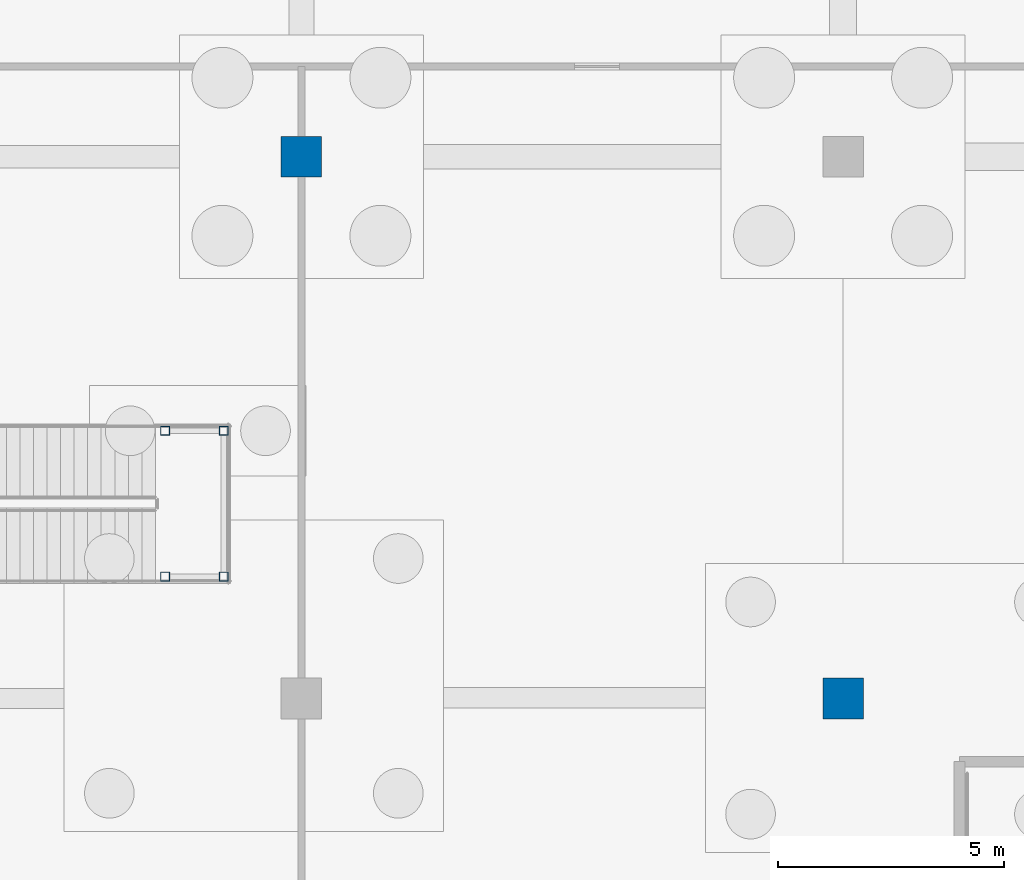
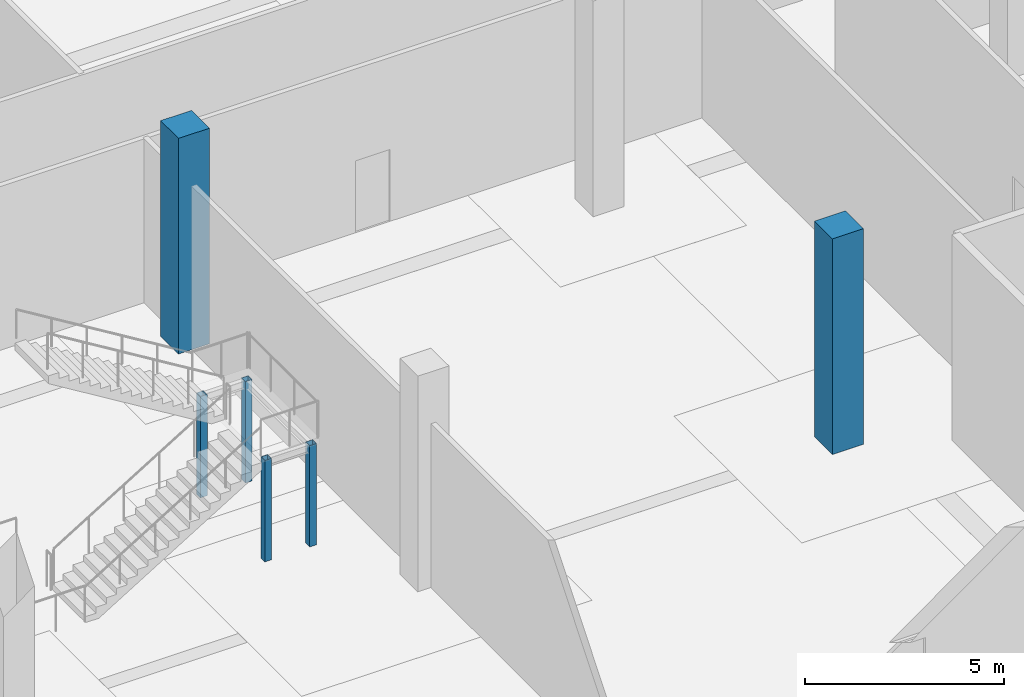
# One storey, part 26 of 117: 6 columns.
"""IFC4 building model written with IfcOpenShell, lengths in metres."""

import ifcopenshell
import ifcopenshell.guid

model = None  # the IFC model being written
_history = None  # IfcOwnerHistory: only IFC2X3 demands one
_inside = {}  # id of a spatial element -> (the spatial element, [elements in it])
_under = {}  # id of a project, library or spatial element -> (it, [spatial elements below it])
_declared = {}  # id of a project -> (the project, [libraries it declares])
_typed = {}  # id of a type object -> (the type object, [elements of that type])
_made_of = {}  # id of a material, layer set ... -> (it, [elements and type objects made of it])


def new_model(schema):
    """Start an empty IFC model of exactly this schema.

    Asked for "IFC4X3", IfcOpenShell would pick the latest addendum, in which some entities
    have other attributes; the version numbers below select the first issue.
    IFC2X3 requires an IfcOwnerHistory on every rooted entity: one is made here for all.
    """
    global model, _history
    if schema == "IFC4X3":
        model = ifcopenshell.file(schema_version=(4, 3, 0, 0))
    else:
        model = ifcopenshell.file(schema=schema)
    _inside.clear()
    _under.clear()
    _declared.clear()
    _typed.clear()
    _made_of.clear()
    _history = None
    if model.schema == "IFC2X3":
        org = make("IfcOrganization", Name="unknown")
        user = make(
            "IfcPersonAndOrganization",
            ThePerson=make("IfcPerson", FamilyName="unknown"),
            TheOrganization=org,
        )
        app = make(
            "IfcApplication",
            ApplicationDeveloper=org,
            Version="unknown",
            ApplicationFullName="unknown",
            ApplicationIdentifier="unknown",
        )
        _history = make(
            "IfcOwnerHistory",
            OwningUser=user,
            OwningApplication=app,
            ChangeAction="ADDED",
            CreationDate=0,
        )
    return model


def make(cls, **values):
    """One entity of the class cls with the attributes given. An attribute that is None is left unset."""
    return model.create_entity(
        cls, **{name: value for name, value in values.items() if value is not None}
    )


def rooted(cls, **values):
    """An entity with a GlobalId (a new one), such as an element, a storey or a relation."""
    return make(cls, GlobalId=ifcopenshell.guid.new(), OwnerHistory=_history, **values)


def si_unit(unit_type, name, prefix=None):
    """IfcSIUnit, for example si_unit("LENGTHUNIT", "METRE", prefix="MILLI")."""
    return make("IfcSIUnit", UnitType=unit_type, Prefix=prefix, Name=name)


def assignment(units):
    """IfcUnitAssignment: the units of a project."""
    return None if units is None else make("IfcUnitAssignment", Units=units)


def point(xyz):
    """IfcCartesianPoint."""
    return None if xyz is None else make("IfcCartesianPoint", Coordinates=xyz)


def direction(xyz):
    """IfcDirection."""
    return None if xyz is None else make("IfcDirection", DirectionRatios=xyz)


def frame(location, z_axis=None, x_axis=None):
    """IfcAxis2Placement3D, a coordinate frame: its origin and axes. An axis left out is left unset."""
    return make(
        "IfcAxis2Placement3D",
        Location=point(location),
        Axis=direction(z_axis),
        RefDirection=direction(x_axis),
    )


def frame_2d(location, x_axis=None):
    """IfcAxis2Placement2D, a coordinate frame in the plane: its origin and x axis."""
    return make(
        "IfcAxis2Placement2D", Location=point(location), RefDirection=direction(x_axis)
    )


def origin():
    """The frame at (0, 0, 0) with its axes left unset."""
    return frame((0.0, 0.0, 0.0))


def origin_2d():
    """The frame at (0, 0) in the plane with its x axis left unset."""
    return frame_2d((0.0, 0.0))


def place(relative_to, where):
    """IfcLocalPlacement: puts the frame where relative to a parent placement (None: the world)."""
    return make(
        "IfcLocalPlacement", PlacementRelTo=relative_to, RelativePlacement=where
    )


def context(
    kind, dimensions, precision=None, world=None, true_north=None, identifier=None
):
    """IfcGeometricRepresentationContext, for example the 3D "Model" context."""
    return make(
        "IfcGeometricRepresentationContext",
        ContextIdentifier=identifier,
        ContextType=kind,
        CoordinateSpaceDimension=dimensions,
        Precision=precision,
        WorldCoordinateSystem=world,
        TrueNorth=true_north,
    )


def subcontext(parent, identifier, kind, view, scale=None):
    """IfcGeometricRepresentationSubContext, for example "Body" below "Model"."""
    return make(
        "IfcGeometricRepresentationSubContext",
        ContextIdentifier=identifier,
        ContextType=kind,
        ParentContext=parent,
        TargetScale=scale,
        TargetView=view,
    )


def project(units=None, contexts=None):
    """IfcProject with its units and contexts."""
    return rooted(
        "IfcProject",
        Name="project",
        RepresentationContexts=contexts,
        UnitsInContext=assignment(units),
    )


def spatial(cls, under=None, at=None, **own):
    """A site, building, storey or space (cls), placed at a placement, below another one or the project."""
    s = rooted(cls, ObjectPlacement=at, **own)
    if under is not None:
        _under.setdefault(under.id(), (under, []))[1].append(s)
    return s


def profile(cls, at=None, kind="AREA", **sizes):
    """A parametric profile (cls). Its sizes go by their IFC names, for example OverallWidth=200.0."""
    return make(cls, ProfileType=kind, Position=at, **sizes)


def rectangle(**sizes):
    """IfcRectangleProfileDef."""
    return profile("IfcRectangleProfileDef", **sizes)


def hollow_rectangle(**sizes):
    """IfcRectangleHollowProfileDef."""
    return profile("IfcRectangleHollowProfileDef", **sizes)


def extrude(swept, where, along, depth):
    """IfcExtrudedAreaSolid: the profile swept, set in the frame where, extruded along a direction by depth."""
    return make(
        "IfcExtrudedAreaSolid",
        SweptArea=swept,
        Position=where,
        ExtrudedDirection=direction(along),
        Depth=depth,
    )


def shape(context_of_items, identifier, shape_type, items):
    """IfcShapeRepresentation: the items that make up one representation, for example the "Body"."""
    return make(
        "IfcShapeRepresentation",
        ContextOfItems=context_of_items,
        RepresentationIdentifier=identifier,
        RepresentationType=shape_type,
        Items=items,
    )


def material(Name=None, Category=None):
    """IfcMaterial."""
    return make("IfcMaterial", Name=Name, Category=Category)


def material_profile(
    of_material, cross_section, Name=None, Category=None, Priority=None
):
    """IfcMaterialProfile: a cross section and its material."""
    return make(
        "IfcMaterialProfile",
        Name=Name,
        Material=of_material,
        Profile=cross_section,
        Priority=Priority,
        Category=Category,
    )


def profile_set(profiles, Name=None, composite=None):
    """IfcMaterialProfileSet."""
    return make(
        "IfcMaterialProfileSet",
        Name=Name,
        MaterialProfiles=profiles,
        CompositeProfile=composite,
    )


def made_of(thing, what):
    """Note that an element or type object is made of a material, layer set ...; save() writes the relation."""
    if what is not None:
        _made_of.setdefault(what.id(), (what, []))[1].append(thing)
    return thing


def type_object(cls, material=None, **own):
    """A type object (cls), such as IfcWallType, which elements share."""
    return made_of(rooted(cls, **own), material)


def element(
    cls,
    number,
    at=None,
    inside=None,
    cuts=None,
    type_object=None,
    material=None,
    context=None,
    identifier="Body",
    shape_type=None,
    held_by="IfcProductDefinitionShape",
    body=None,
    shapes=None,
    **own,
):
    """One element of the class cls, such as IfcWall. Its Tag is "e" and its number.

    at: its placement. inside: the storey or other place that contains it. cuts: it is an
    opening in that element (IfcRelVoidsElement). A single representation is given by context,
    identifier, shape_type and body (its items); several are given by shapes. held_by: the class
    of the entity that holds the representations. save() writes the other relations.
    """
    e = rooted(cls, Tag="e%d" % number, ObjectPlacement=at, **own)
    if body is not None:
        shapes = [shape(context, identifier, shape_type, body)]
    if shapes is not None:
        e.Representation = make(held_by, Representations=shapes)
    if inside is not None:
        _inside.setdefault(inside.id(), (inside, []))[1].append(e)
    if cuts is not None:
        rooted(
            "IfcRelVoidsElement", RelatingBuildingElement=cuts, RelatedOpeningElement=e
        )
    if type_object is not None:
        _typed.setdefault(type_object.id(), (type_object, []))[1].append(e)
    return made_of(e, material)


def aggregate(whole, parts):
    """IfcRelAggregates: a whole, such as a stair, and the parts it consists of."""
    return rooted("IfcRelAggregates", RelatingObject=whole, RelatedObjects=parts)


def save(model, path):
    """Write the relations noted so far, then the file.

    IfcRelAggregates (storeys below a building ...), IfcRelContainedInSpatialStructure (elements
    in a storey), IfcRelDefinesByType, IfcRelAssociatesMaterial and IfcRelDeclares: one each for
    every whole, place, type object, material and project.
    """
    for whole, parts in _under.values():
        aggregate(whole, parts)
    for where, things in _inside.values():
        rooted(
            "IfcRelContainedInSpatialStructure",
            RelatedElements=things,
            RelatingStructure=where,
        )
    for kind, things in _typed.values():
        rooted("IfcRelDefinesByType", RelatedObjects=things, RelatingType=kind)
    for what, things in _made_of.values():
        rooted("IfcRelAssociatesMaterial", RelatedObjects=things, RelatingMaterial=what)
    for by, libraries in _declared.values():
        rooted("IfcRelDeclares", RelatingContext=by, RelatedDefinitions=libraries)
    model.write(path)


model = new_model("IFC4")

# Units and contexts
model_context = context("Model", 3, precision=1e-05, world=origin(), true_north=direction((0.0, 1.0)))
body_context = subcontext(model_context, "Body", "Model", "MODEL_VIEW")
ifc_project = project(units=[si_unit("LENGTHUNIT", "METRE"), si_unit("AREAUNIT", "SQUARE_METRE"), si_unit("VOLUMEUNIT", "CUBIC_METRE"), si_unit("PLANEANGLEUNIT", "RADIAN"), si_unit("MASSUNIT", "GRAM", prefix="KILO")], contexts=[model_context])

# Site, building, storey
site_placement = place(None, origin())
site = spatial("IfcSite", under=ifc_project, at=site_placement, CompositionType="ELEMENT")
building_placement = place(site_placement, origin())
building = spatial("IfcBuilding", under=site, at=building_placement, Name="Kamomehara Wholesale Market", CompositionType="ELEMENT")
storey_placement = place(building_placement, origin())
storey = spatial("IfcBuildingStorey", under=building, at=storey_placement, Name="L00", CompositionType="ELEMENT", Elevation=0.0)

# Columns
ifc_material_1 = material(Name="Precast concrete Fc45 (C40/50)", Category="concrete")
ifc_material_profile_1 = material_profile(ifc_material_1, rectangle(XDim=0.89990234375, YDim=0.89990234375, at=origin_2d()), Name="PC-COL-900x900")
ifc_profile_set_1 = profile_set([ifc_material_profile_1], Name="Precast concrete Fc45 (C40/50)")
column_type_1 = type_object("IfcColumnType", Name="COL-PC900-EXT", PredefinedType="COLUMN", material=ifc_profile_set_1)
for number, where, z_axis, x_axis, name in (
    (1, (132.0, 36.0, 0.0), (0.0, 0.0, 1.0), (1.0, 0.0, 0.0), "Column C-01E L00"),
    (2, (144.0, 24.0, 0.0), (0.0, 0.0, 1.0), (1.0, 0.0, 0.0), "Column C-01E L00"),
):
    element("IfcColumn", number, at=place(storey_placement, frame(where, z_axis=z_axis, x_axis=x_axis)), inside=storey, type_object=column_type_1, Name=name, PredefinedType="COLUMN", context=body_context, shape_type="SweptSolid", body=[
        extrude(rectangle(XDim=0.89990234375, YDim=0.89990234375, at=origin_2d()), origin(), (0.0, 0.0, 1.0), 6.60009765625),
    ])
ifc_material_2 = material(Name="Steel SN490B", Category="steel")
ifc_material_profile_2 = material_profile(ifc_material_2, hollow_rectangle(XDim=0.199951171875, YDim=0.199951171875, WallThickness=0.009033203125, at=origin_2d()), Name="RHS-200x200x9")
ifc_profile_set_2 = profile_set([ifc_material_profile_2], Name="Steel SN490B")
column_type_2 = type_object("IfcColumnType", Name="COL-ST-RHS200", PredefinedType="COLUMN", material=ifc_profile_set_2)
for number, where, z_axis, x_axis, name in (
    (3, (128.97998046875, 26.699951171875, 0.0), (0.0, 0.0, 1.0), (1.0, 0.0, 0.0), "Column CS-12 L00"),
    (4, (128.97998046875, 29.929931640625, 0.0), (0.0, 0.0, 1.0), (1.0, 0.0, 0.0), "Column CS-12 L00"),
    (5, (130.280029296875, 26.699951171875, 0.0), (0.0, 0.0, 1.0), (1.0, 0.0, 0.0), "Column CS-12 L00"),
    (6, (130.280029296875, 29.929931640625, 0.0), (0.0, 0.0, 1.0), (1.0, 0.0, 0.0), "Column CS-12 L00"),
):
    element("IfcColumn", number, at=place(storey_placement, frame(where, z_axis=z_axis, x_axis=x_axis)), inside=storey, type_object=column_type_2, Name=name, PredefinedType="COLUMN", context=body_context, shape_type="SweptSolid", body=[
        extrude(hollow_rectangle(XDim=0.199951171875, YDim=0.199951171875, WallThickness=0.009033203125, at=origin_2d()), origin(), (0.0, 0.0, 1.0), 3.10009765625),
    ])

save(model, "model.ifc")
